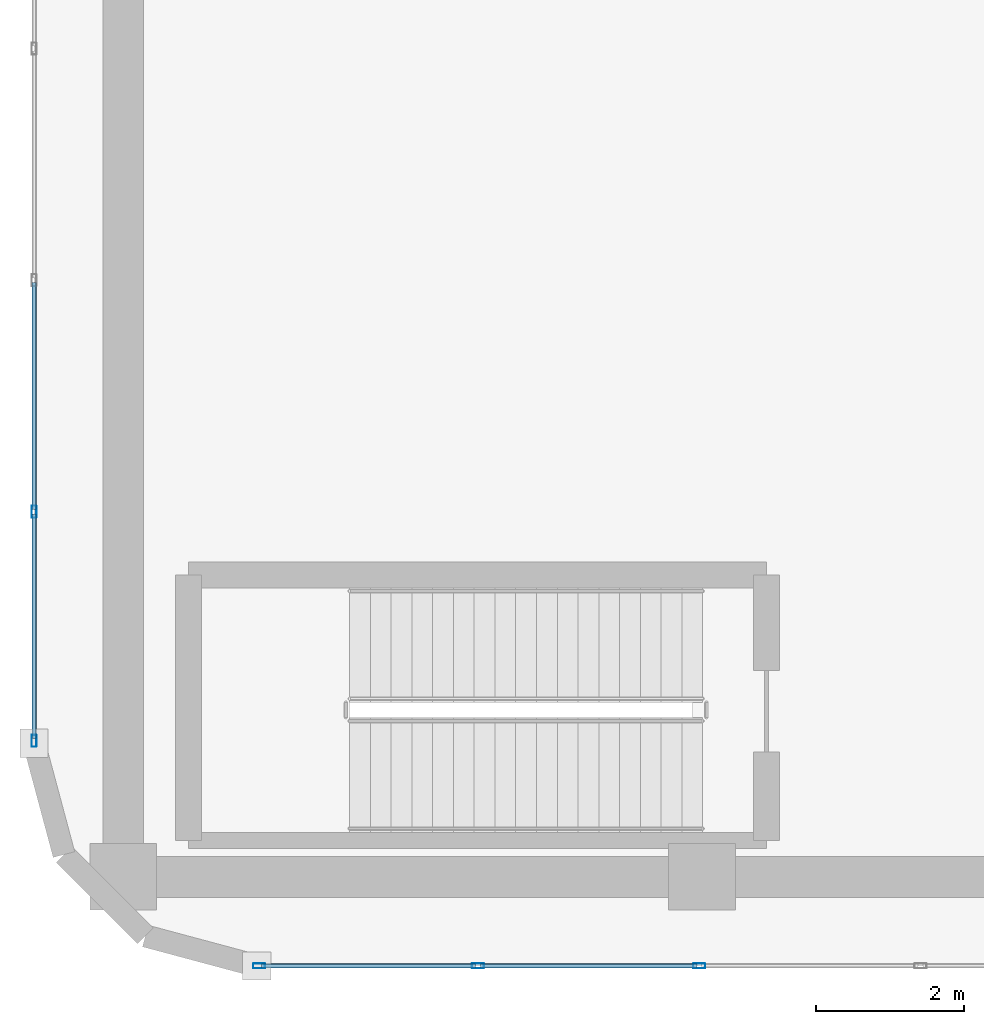
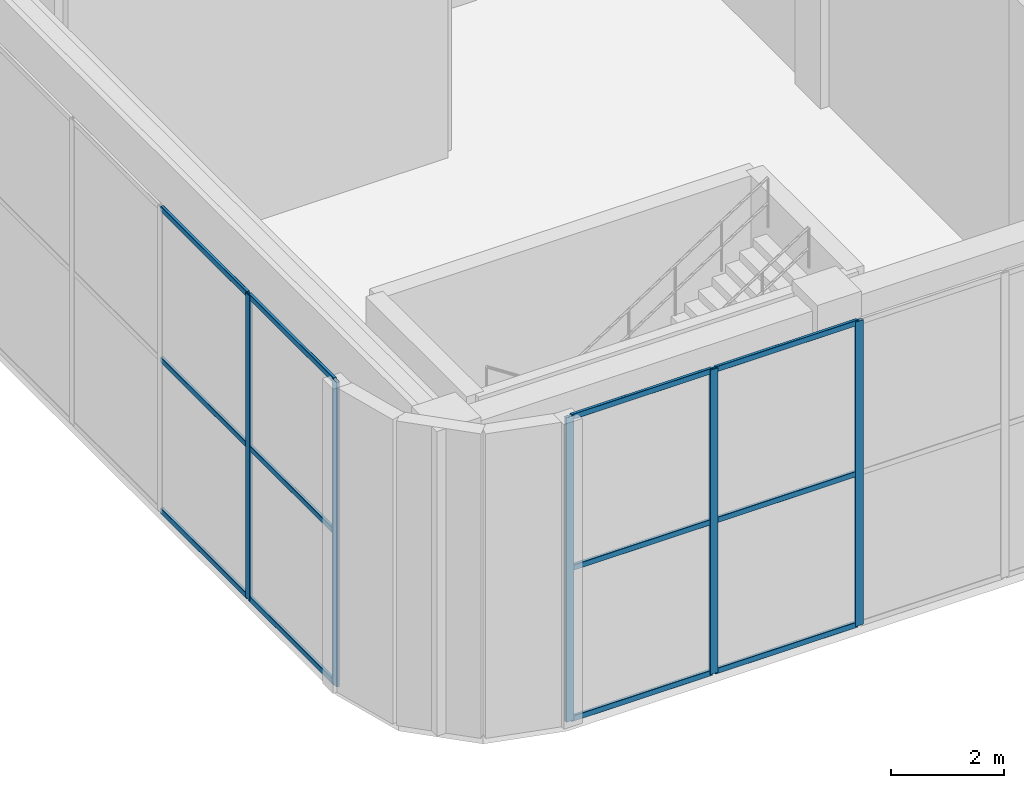
# One storey, part 2 of 19: 17 members, 2 elements without a shape of their own.
"""IFC4 building model written with IfcOpenShell, lengths in metres."""

from ifc_helpers import new_model, si_unit, direction, frame, origin, origin_2d, place, context, subcontext, project, spatial, hollow_rectangle, extrude, material, layer, layer_set, material_profile, profile_set, type_object, element, aggregate, save


model = new_model("IFC4")

# Units and contexts
model_context = context("Model", 3, precision=1e-05, world=origin(), true_north=direction((0.0, 1.0)))
body_context = subcontext(model_context, "Body", "Model", "MODEL_VIEW")
ifc_project = project(units=[si_unit("LENGTHUNIT", "METRE"), si_unit("AREAUNIT", "SQUARE_METRE"), si_unit("VOLUMEUNIT", "CUBIC_METRE"), si_unit("PLANEANGLEUNIT", "RADIAN"), si_unit("MASSUNIT", "GRAM", prefix="KILO")], contexts=[model_context])

# Site, building, storey
site_placement = place(None, origin())
site = spatial("IfcSite", under=ifc_project, at=site_placement, CompositionType="ELEMENT")
building_placement = place(site_placement, origin())
building = spatial("IfcBuilding", under=site, at=building_placement, Name="An Khanh Terracotta Commons", CompositionType="ELEMENT")
storey_placement = place(building_placement, frame((0.0, 0.0, 328.800048828125)))
storey = spatial("IfcBuildingStorey", under=building, at=storey_placement, Name="L82 Crown Faceted Taper", CompositionType="ELEMENT", Elevation=328.800048828125)

# Curtain wall, members
ifc_material = material(Name="Anodised Aluminium 6063-T6", Category="aluminium")
ifc_layer = layer(ifc_material, 0.18994140625, Name="Anodised Aluminium 6063-T6")
ifc_layer_set = layer_set([ifc_layer], Name="Anodised Aluminium 6063-T6")
curtain_wall_type = type_object("IfcCurtainWallType", Name="CW-SYS-06", PredefinedType="USERDEFINED", material=ifc_layer_set)
curtain_wall_1_placement = place(storey_placement, origin())
curtain_wall_1 = element("IfcCurtainWall", 1, at=curtain_wall_1_placement, inside=storey, type_object=curtain_wall_type, Name="L82 Crown Faceted Taper CW-06 Unitised Curtain Wall CW-L82-04", ObjectType="UNITISED CURTAIN WALL", PredefinedType="USERDEFINED")
ifc_material_profile_1 = material_profile(ifc_material, hollow_rectangle(XDim=0.06494140625, YDim=0.1650390625, WallThickness=0.00390625, InnerFilletRadius=0.00390625, OuterFilletRadius=0.008056640625, at=origin_2d()), Name="RHS165x65x4")
ifc_profile_set_1 = profile_set([ifc_material_profile_1], Name="Anodised Aluminium 6063-T6")
member_type_1 = type_object("IfcMemberType", Name="CWM-RHS165x65x4", PredefinedType="MULLION", material=ifc_profile_set_1)
member_1_placement = place(storey_placement, frame((23.4326171875, 13.199951171875, 0.0), z_axis=(0.0, 0.0, 1.0), x_axis=(0.0, 1.0, 0.0)))
member_1 = element("IfcMember", 2, at=member_1_placement, type_object=member_type_1, Name="CW-06 mullion 1", PredefinedType="MULLION", context=body_context, shape_type="SweptSolid", body=[
    extrude(hollow_rectangle(XDim=0.06494140625, YDim=0.1650390625, WallThickness=0.00390625, InnerFilletRadius=0.00390625, OuterFilletRadius=0.008056640625, at=origin_2d()), origin(), (0.0, 0.0, 1.0), 6.599853515625),
])
member_2_placement = place(storey_placement, frame((26.381591796875, 13.199951171875, 0.0), z_axis=(0.0, 0.0, 1.0), x_axis=(0.0, 1.0, 0.0)))
member_2 = element("IfcMember", 3, at=member_2_placement, type_object=member_type_1, Name="CW-06 mullion 2", PredefinedType="MULLION", context=body_context, shape_type="SweptSolid", body=[
    extrude(hollow_rectangle(XDim=0.06494140625, YDim=0.1650390625, WallThickness=0.00390625, InnerFilletRadius=0.00390625, OuterFilletRadius=0.008056640625, at=origin_2d()), origin(), (0.0, 0.0, 1.0), 6.599853515625),
])
member_3_placement = place(storey_placement, frame((29.363037109375, 13.199951171875, 0.0), z_axis=(0.0, 0.0, 1.0), x_axis=(0.0, 1.0, 0.0)))
member_3 = element("IfcMember", 4, at=member_3_placement, type_object=member_type_1, Name="CW-06 mullion 3", PredefinedType="MULLION", context=body_context, shape_type="SweptSolid", body=[
    extrude(hollow_rectangle(XDim=0.06494140625, YDim=0.1650390625, WallThickness=0.00390625, InnerFilletRadius=0.00390625, OuterFilletRadius=0.008056640625, at=origin_2d()), origin(), (0.0, 0.0, 1.0), 6.599853515625),
])

curtain_wall_2_placement = place(storey_placement, origin())
curtain_wall_2 = element("IfcCurtainWall", 5, at=curtain_wall_2_placement, inside=storey, type_object=curtain_wall_type, Name="L82 Crown Faceted Taper CW-06 Unitised Curtain Wall CW-L82-24", ObjectType="UNITISED CURTAIN WALL", PredefinedType="USERDEFINED")
member_4_placement = place(storey_placement, frame((20.39990234375, 19.320068359375, 0.0), z_axis=(0.0, 0.0, 1.0), x_axis=(1.0, 0.0, 0.0)))
member_4 = element("IfcMember", 6, at=member_4_placement, type_object=member_type_1, Name="CW-06 mullion 5", PredefinedType="MULLION", context=body_context, shape_type="SweptSolid", body=[
    extrude(hollow_rectangle(XDim=0.06494140625, YDim=0.1650390625, WallThickness=0.00390625, InnerFilletRadius=0.00390625, OuterFilletRadius=0.008056640625, at=origin_2d()), origin(), (0.0, 0.0, 1.0), 6.599853515625),
])
member_5_placement = place(storey_placement, frame((20.39990234375, 16.232421875, 0.0), z_axis=(0.0, 0.0, 1.0), x_axis=(1.0, 0.0, 0.0)))
member_5 = element("IfcMember", 7, at=member_5_placement, type_object=member_type_1, Name="CW-06 mullion 6", PredefinedType="MULLION", context=body_context, shape_type="SweptSolid", body=[
    extrude(hollow_rectangle(XDim=0.06494140625, YDim=0.1650390625, WallThickness=0.00390625, InnerFilletRadius=0.00390625, OuterFilletRadius=0.008056640625, at=origin_2d()), origin(), (0.0, 0.0, 1.0), 6.599853515625),
])

# Member
ifc_material_profile_2 = material_profile(ifc_material, hollow_rectangle(XDim=0.06005859375, YDim=0.1201171875, WallThickness=0.003662109375, InnerFilletRadius=0.003662109375, OuterFilletRadius=0.007080078125, at=origin_2d()), Name="RHS120x60x3.6")
ifc_profile_set_2 = profile_set([ifc_material_profile_2], Name="Anodised Aluminium 6063-T6")
member_type_2 = type_object("IfcMemberType", Name="CWT-RHS120x60x3.6", PredefinedType="USERDEFINED", material=ifc_profile_set_2)
member_6_placement = place(storey_placement, frame((23.465087890625, 13.199951171875, 0.030029296875), z_axis=(1.0, 0.0, 0.0), x_axis=(0.0, 1.0, 0.0)))
member_6 = element("IfcMember", 8, at=member_6_placement, type_object=member_type_2, Name="CW-06 transom 1.1", ObjectType="TRANSOM", PredefinedType="USERDEFINED", context=body_context, shape_type="SweptSolid", body=[
    extrude(hollow_rectangle(XDim=0.06005859375, YDim=0.1201171875, WallThickness=0.003662109375, InnerFilletRadius=0.003662109375, OuterFilletRadius=0.007080078125, at=origin_2d()), origin(), (0.0, 0.0, 1.0), 2.884033203125),
])

member_7_placement = place(storey_placement, frame((23.465087890625, 13.199951171875, 3.300048828125), z_axis=(1.0, 0.0, 0.0), x_axis=(0.0, 1.0, 0.0)))
member_7 = element("IfcMember", 9, at=member_7_placement, type_object=member_type_2, Name="CW-06 transom 1.2", ObjectType="TRANSOM", PredefinedType="USERDEFINED", context=body_context, shape_type="SweptSolid", body=[
    extrude(hollow_rectangle(XDim=0.06005859375, YDim=0.1201171875, WallThickness=0.003662109375, InnerFilletRadius=0.003662109375, OuterFilletRadius=0.007080078125, at=origin_2d()), origin(), (0.0, 0.0, 1.0), 2.884033203125),
])

member_8_placement = place(storey_placement, frame((23.465087890625, 13.199951171875, 6.570068359375), z_axis=(1.0, 0.0, 0.0), x_axis=(0.0, 1.0, 0.0)))
member_8 = element("IfcMember", 10, at=member_8_placement, type_object=member_type_2, Name="CW-06 transom 1.3", ObjectType="TRANSOM", PredefinedType="USERDEFINED", context=body_context, shape_type="SweptSolid", body=[
    extrude(hollow_rectangle(XDim=0.06005859375, YDim=0.1201171875, WallThickness=0.003662109375, InnerFilletRadius=0.003662109375, OuterFilletRadius=0.007080078125, at=origin_2d()), origin(), (0.0, 0.0, 1.0), 2.884033203125),
])

member_9_placement = place(storey_placement, frame((26.4140625, 13.199951171875, 0.030029296875), z_axis=(1.0, 0.0, 0.0), x_axis=(0.0, 1.0, 0.0)))
member_9 = element("IfcMember", 11, at=member_9_placement, type_object=member_type_2, Name="CW-06 transom 2.1", ObjectType="TRANSOM", PredefinedType="USERDEFINED", context=body_context, shape_type="SweptSolid", body=[
    extrude(hollow_rectangle(XDim=0.06005859375, YDim=0.1201171875, WallThickness=0.003662109375, InnerFilletRadius=0.003662109375, OuterFilletRadius=0.007080078125, at=origin_2d()), origin(), (0.0, 0.0, 1.0), 2.91650390625),
])

member_10_placement = place(storey_placement, frame((26.4140625, 13.199951171875, 3.300048828125), z_axis=(1.0, 0.0, 0.0), x_axis=(0.0, 1.0, 0.0)))
member_10 = element("IfcMember", 12, at=member_10_placement, type_object=member_type_2, Name="CW-06 transom 2.2", ObjectType="TRANSOM", PredefinedType="USERDEFINED", context=body_context, shape_type="SweptSolid", body=[
    extrude(hollow_rectangle(XDim=0.06005859375, YDim=0.1201171875, WallThickness=0.003662109375, InnerFilletRadius=0.003662109375, OuterFilletRadius=0.007080078125, at=origin_2d()), origin(), (0.0, 0.0, 1.0), 2.91650390625),
])

member_11_placement = place(storey_placement, frame((26.4140625, 13.199951171875, 6.570068359375), z_axis=(1.0, 0.0, 0.0), x_axis=(0.0, 1.0, 0.0)))
member_11 = element("IfcMember", 13, at=member_11_placement, type_object=member_type_2, Name="CW-06 transom 2.3", ObjectType="TRANSOM", PredefinedType="USERDEFINED", context=body_context, shape_type="SweptSolid", body=[
    extrude(hollow_rectangle(XDim=0.06005859375, YDim=0.1201171875, WallThickness=0.003662109375, InnerFilletRadius=0.003662109375, OuterFilletRadius=0.007080078125, at=origin_2d()), origin(), (0.0, 0.0, 1.0), 2.91650390625),
])

aggregate(curtain_wall_1, [member_1, member_2, member_3, member_6, member_7, member_8, member_9, member_10, member_11])

member_12_placement = place(storey_placement, frame((20.39990234375, 22.407470703125, 0.030029296875), z_axis=(0.0, -1.0, 0.0), x_axis=(1.0, 0.0, 0.0)))
member_12 = element("IfcMember", 14, at=member_12_placement, type_object=member_type_2, Name="CW-06 transom 4.1", ObjectType="TRANSOM", PredefinedType="USERDEFINED", context=body_context, shape_type="SweptSolid", body=[
    extrude(hollow_rectangle(XDim=0.06005859375, YDim=0.1201171875, WallThickness=0.003662109375, InnerFilletRadius=0.003662109375, OuterFilletRadius=0.007080078125, at=origin_2d()), origin(), (0.0, 0.0, 1.0), 3.054931640625),
])

member_13_placement = place(storey_placement, frame((20.39990234375, 22.407470703125, 3.300048828125), z_axis=(0.0, -1.0, 0.0), x_axis=(1.0, 0.0, 0.0)))
member_13 = element("IfcMember", 15, at=member_13_placement, type_object=member_type_2, Name="CW-06 transom 4.2", ObjectType="TRANSOM", PredefinedType="USERDEFINED", context=body_context, shape_type="SweptSolid", body=[
    extrude(hollow_rectangle(XDim=0.06005859375, YDim=0.1201171875, WallThickness=0.003662109375, InnerFilletRadius=0.003662109375, OuterFilletRadius=0.007080078125, at=origin_2d()), origin(), (0.0, 0.0, 1.0), 3.054931640625),
])

member_14_placement = place(storey_placement, frame((20.39990234375, 22.407470703125, 6.570068359375), z_axis=(0.0, -1.0, 0.0), x_axis=(1.0, 0.0, 0.0)))
member_14 = element("IfcMember", 16, at=member_14_placement, type_object=member_type_2, Name="CW-06 transom 4.3", ObjectType="TRANSOM", PredefinedType="USERDEFINED", context=body_context, shape_type="SweptSolid", body=[
    extrude(hollow_rectangle(XDim=0.06005859375, YDim=0.1201171875, WallThickness=0.003662109375, InnerFilletRadius=0.003662109375, OuterFilletRadius=0.007080078125, at=origin_2d()), origin(), (0.0, 0.0, 1.0), 3.054931640625),
])

member_15_placement = place(storey_placement, frame((20.39990234375, 19.28759765625, 0.030029296875), z_axis=(0.0, -1.0, 0.0), x_axis=(1.0, 0.0, 0.0)))
member_15 = element("IfcMember", 17, at=member_15_placement, type_object=member_type_2, Name="CW-06 transom 5.1", ObjectType="TRANSOM", PredefinedType="USERDEFINED", context=body_context, shape_type="SweptSolid", body=[
    extrude(hollow_rectangle(XDim=0.06005859375, YDim=0.1201171875, WallThickness=0.003662109375, InnerFilletRadius=0.003662109375, OuterFilletRadius=0.007080078125, at=origin_2d()), origin(), (0.0, 0.0, 1.0), 3.022705078125),
])

member_16_placement = place(storey_placement, frame((20.39990234375, 19.28759765625, 3.300048828125), z_axis=(0.0, -1.0, 0.0), x_axis=(1.0, 0.0, 0.0)))
member_16 = element("IfcMember", 18, at=member_16_placement, type_object=member_type_2, Name="CW-06 transom 5.2", ObjectType="TRANSOM", PredefinedType="USERDEFINED", context=body_context, shape_type="SweptSolid", body=[
    extrude(hollow_rectangle(XDim=0.06005859375, YDim=0.1201171875, WallThickness=0.003662109375, InnerFilletRadius=0.003662109375, OuterFilletRadius=0.007080078125, at=origin_2d()), origin(), (0.0, 0.0, 1.0), 3.022705078125),
])

member_17_placement = place(storey_placement, frame((20.39990234375, 19.28759765625, 6.570068359375), z_axis=(0.0, -1.0, 0.0), x_axis=(1.0, 0.0, 0.0)))
member_17 = element("IfcMember", 19, at=member_17_placement, type_object=member_type_2, Name="CW-06 transom 5.3", ObjectType="TRANSOM", PredefinedType="USERDEFINED", context=body_context, shape_type="SweptSolid", body=[
    extrude(hollow_rectangle(XDim=0.06005859375, YDim=0.1201171875, WallThickness=0.003662109375, InnerFilletRadius=0.003662109375, OuterFilletRadius=0.007080078125, at=origin_2d()), origin(), (0.0, 0.0, 1.0), 3.022705078125),
])

aggregate(curtain_wall_2, [member_4, member_5, member_12, member_13, member_14, member_15, member_16, member_17])

save(model, "model.ifc")
